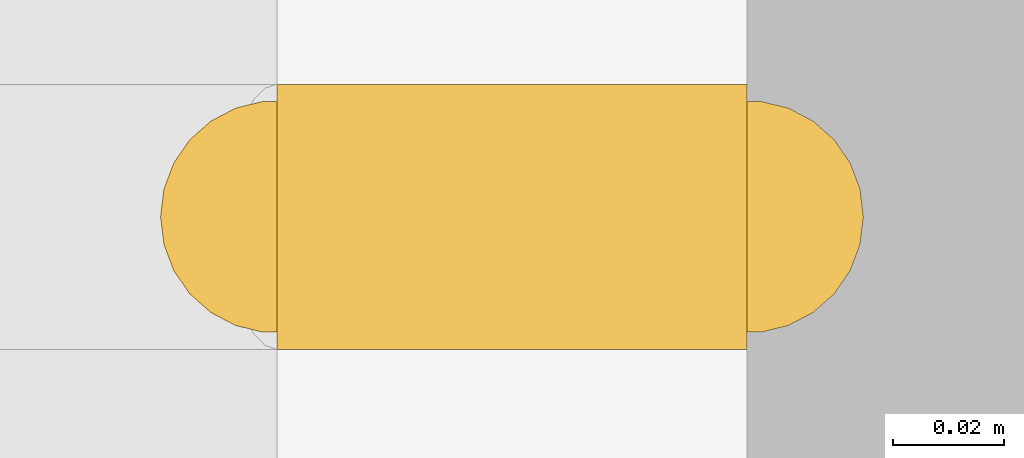
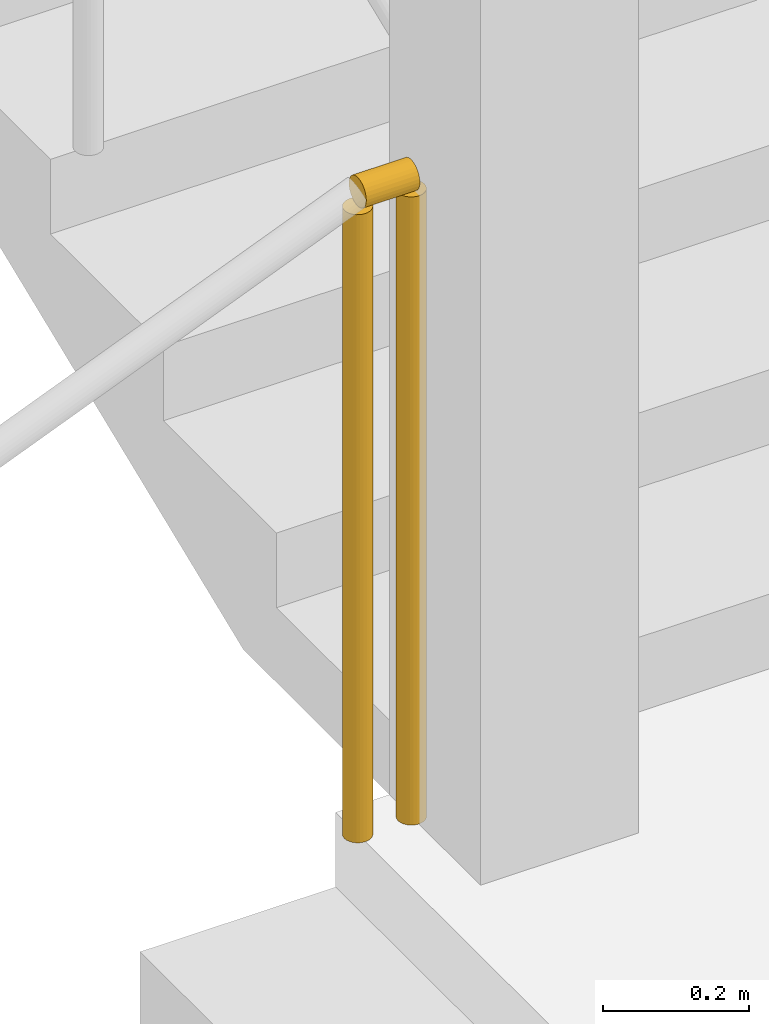
# One storey, part 31 of 37: 1 railing.
"""IFC4 building model written with IfcOpenShell, lengths in metres."""

from ifc_helpers import new_model, si_unit, direction, frame, origin, origin_2d, place, context, subcontext, project, spatial, circle, extrude, material, type_object, element, save


model = new_model("IFC4")

# Units and contexts
model_context = context("Model", 3, precision=1e-05, world=origin(), true_north=direction((0.0, 1.0)))
body_context = subcontext(model_context, "Body", "Model", "MODEL_VIEW")
ifc_project = project(units=[si_unit("LENGTHUNIT", "METRE"), si_unit("AREAUNIT", "SQUARE_METRE"), si_unit("VOLUMEUNIT", "CUBIC_METRE"), si_unit("PLANEANGLEUNIT", "RADIAN"), si_unit("MASSUNIT", "GRAM", prefix="KILO")], contexts=[model_context])

# Site, building, storey
site_placement = place(None, origin())
site = spatial("IfcSite", under=ifc_project, at=site_placement, CompositionType="ELEMENT")
building_placement = place(site_placement, origin())
building = spatial("IfcBuilding", under=site, at=building_placement, Name="Rekha Terrace Tower", CompositionType="ELEMENT")
storey_placement = place(building_placement, frame((0.0, 0.0, 232.699951171875)))
storey = spatial("IfcBuildingStorey", under=building, at=storey_placement, Name="L59", CompositionType="ELEMENT", Elevation=232.699951171875)

# Railing
ifc_material = material(Name="Stainless steel balustrade", Category="steel")
railing_type = type_object("IfcRailingType", Name="GR1 1100 stair guard", PredefinedType="GUARDRAIL", material=ifc_material)
railing_placement = place(storey_placement, frame((29.989990234375, 41.264892578125, 1.25)))
element("IfcRailing", 1, at=railing_placement, inside=storey, type_object=railing_type, Name="Guard ST4 L59 landing 1", PredefinedType="GUARDRAIL", context=body_context, shape_type="SweptSolid", body=[
    extrude(circle(Radius=0.02392578125, at=origin_2d()), frame((0.0, 0.0, 1.076171875), z_axis=(1.0, 0.0, 0.0), x_axis=(0.0, 1.0, 0.0)), (0.0, 0.0, 1.0), 0.0849609375),
    extrude(circle(Radius=0.02099609375, at=origin_2d()), origin(), (0.0, 0.0, 1.0), 1.052001953125),
    extrude(circle(Radius=0.02099609375, at=origin_2d()), frame((0.0849609375, 0.0, 0.0)), (0.0, 0.0, 1.0), 1.052001953125),
])

save(model, "model.ifc")
